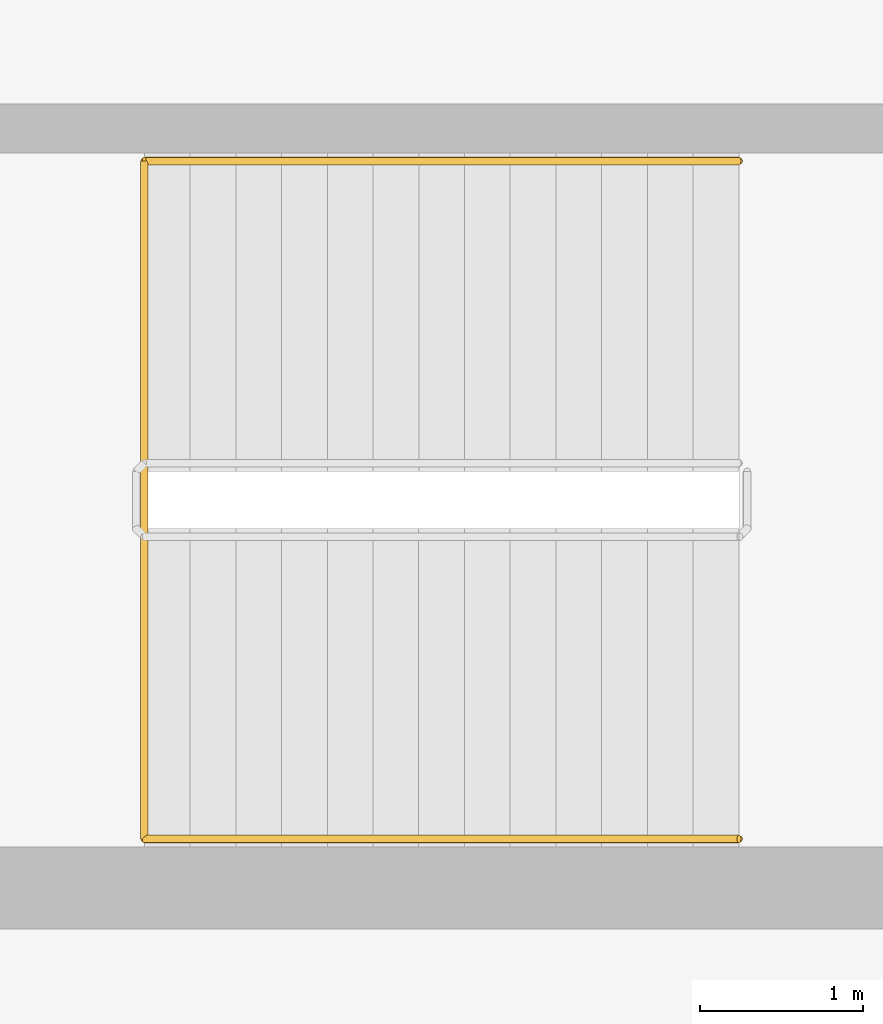
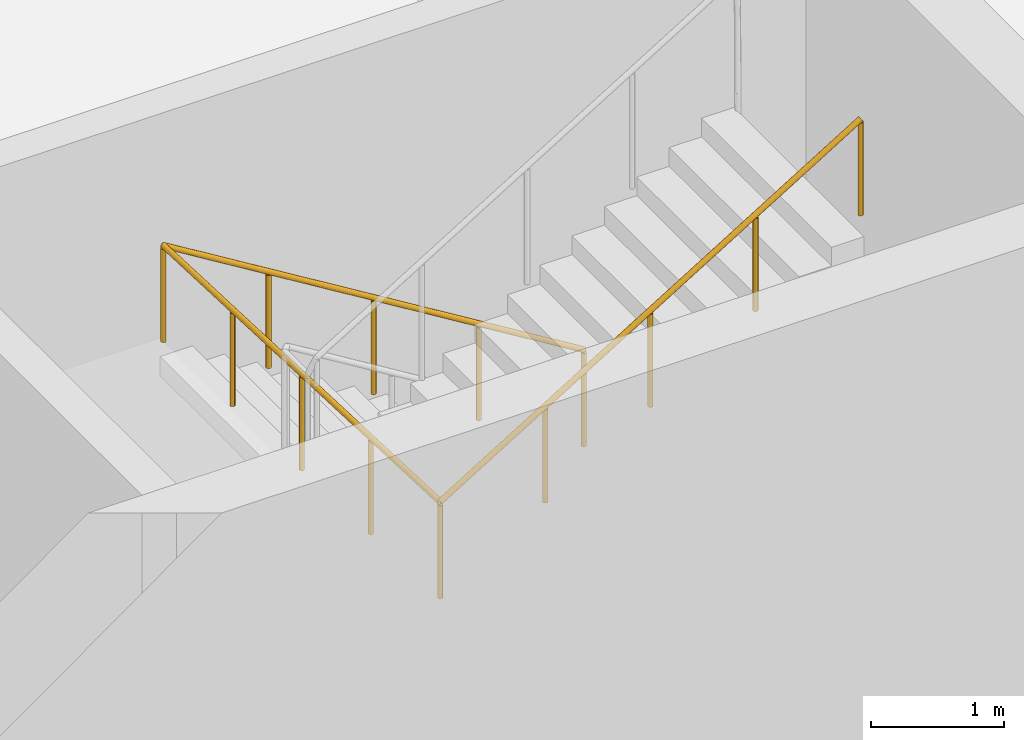
# One storey, part 27 of 31: 1 railing.
"""IFC4 building model written with IfcOpenShell, lengths in metres."""

from ifc_helpers import new_model, si_unit, direction, frame, origin, origin_2d, place, context, subcontext, project, spatial, circle, extrude, material, type_object, element, save


model = new_model("IFC4")

# Units and contexts
model_context = context("Model", 3, precision=1e-05, world=origin(), true_north=direction((0.0, 1.0)))
body_context = subcontext(model_context, "Body", "Model", "MODEL_VIEW")
ifc_project = project(units=[si_unit("LENGTHUNIT", "METRE"), si_unit("AREAUNIT", "SQUARE_METRE"), si_unit("VOLUMEUNIT", "CUBIC_METRE"), si_unit("PLANEANGLEUNIT", "RADIAN"), si_unit("MASSUNIT", "GRAM", prefix="KILO")], contexts=[model_context])

# Site, building, storey
site_placement = place(None, origin())
site = spatial("IfcSite", under=ifc_project, at=site_placement, CompositionType="ELEMENT")
building_placement = place(site_placement, origin())
building = spatial("IfcBuilding", under=site, at=building_placement, Name="Hunhe Ridgeline Campus", CompositionType="ELEMENT")
storey_placement = place(building_placement, frame((0.0, 0.0, 16.800048828125)))
storey = spatial("IfcBuildingStorey", under=building, at=storey_placement, Name="L03", CompositionType="ELEMENT", Elevation=16.800048828125)

# Railing
ifc_material = material(Name="Stainless steel handrail", Category="steel")
railing_type = type_object("IfcRailingType", Name="Stair handrail 900 stainless", PredefinedType="HANDRAIL", material=ifc_material)
railing_placement = place(storey_placement, frame((33.550048828125, 67.699951171875, 0.17138671875)))
element("IfcRailing", 1, at=railing_placement, inside=storey, type_object=railing_type, Name="L03 stair S2 handrail", PredefinedType="HANDRAIL", context=body_context, shape_type="SweptSolid", body=[
    extrude(circle(Radius=0.02392578125, at=origin_2d()), frame((0.0, 0.0, 0.8759765625), z_axis=(-0.852865859571, 0.0, 0.52213008492), x_axis=(0.0, -1.0, 0.0)), (0.0, 0.0, 1.0), 4.26806640625),
    extrude(circle(Radius=0.02392578125, at=origin_2d()), frame((-3.64013671875, 0.0, 3.1044921875), z_axis=(0.0, -0.999148286637, 0.04126380146), x_axis=(1.0, 0.0, 0.0)), (0.0, 0.0, 1.0), 4.1533203125),
    extrude(circle(Radius=0.02392578125, at=origin_2d()), frame((-3.64013671875, -4.14990234375, 3.27587890625), z_axis=(0.852840387347, 0.0, 0.522171689878), x_axis=(0.0, 1.0, 0.0)), (0.0, 0.0, 1.0), 4.268310546875),
    extrude(circle(Radius=0.02099609375, at=origin_2d()), origin(), (0.0, 0.0, 1.0), 0.851806640625),
    extrude(circle(Radius=0.02099609375, at=origin_2d()), frame((-0.91015625, 0.0, 0.55712890625)), (0.0, 0.0, 1.0), 0.851806640625),
    extrude(circle(Radius=0.02099609375, at=origin_2d()), frame((-1.820068359375, 0.0, 1.1142578125)), (0.0, 0.0, 1.0), 0.851806640625),
    extrude(circle(Radius=0.02099609375, at=origin_2d()), frame((-2.72998046875, 0.0, 1.67138671875)), (0.0, 0.0, 1.0), 0.851806640625),
    extrude(circle(Radius=0.02099609375, at=origin_2d()), frame((-3.64013671875, 0.0, 2.228515625)), (0.0, 0.0, 1.0), 0.851806640625),
    extrude(circle(Radius=0.02099609375, at=origin_2d()), frame((-3.64013671875, -1.03759765625, 2.271484375)), (0.0, 0.0, 1.0), 0.851806640625),
    extrude(circle(Radius=0.02099609375, at=origin_2d()), frame((-3.64013671875, -2.074951171875, 2.314208984375)), (0.0, 0.0, 1.0), 0.851806640625),
    extrude(circle(Radius=0.02099609375, at=origin_2d()), frame((-3.64013671875, -3.1123046875, 2.35693359375)), (0.0, 0.0, 1.0), 0.851806640625),
    extrude(circle(Radius=0.02099609375, at=origin_2d()), frame((-3.64013671875, -4.14990234375, 2.39990234375)), (0.0, 0.0, 1.0), 0.851806640625),
    extrude(circle(Radius=0.02099609375, at=origin_2d()), frame((-2.72998046875, -4.14990234375, 2.95703125)), (0.0, 0.0, 1.0), 0.851806640625),
    extrude(circle(Radius=0.02099609375, at=origin_2d()), frame((-1.820068359375, -4.14990234375, 3.51416015625)), (0.0, 0.0, 1.0), 0.851806640625),
    extrude(circle(Radius=0.02099609375, at=origin_2d()), frame((-0.91015625, -4.14990234375, 4.071533203125)), (0.0, 0.0, 1.0), 0.851806640625),
    extrude(circle(Radius=0.02099609375, at=origin_2d()), frame((0.0, -4.14990234375, 4.628662109375)), (0.0, 0.0, 1.0), 0.851806640625),
])

save(model, "model.ifc")
